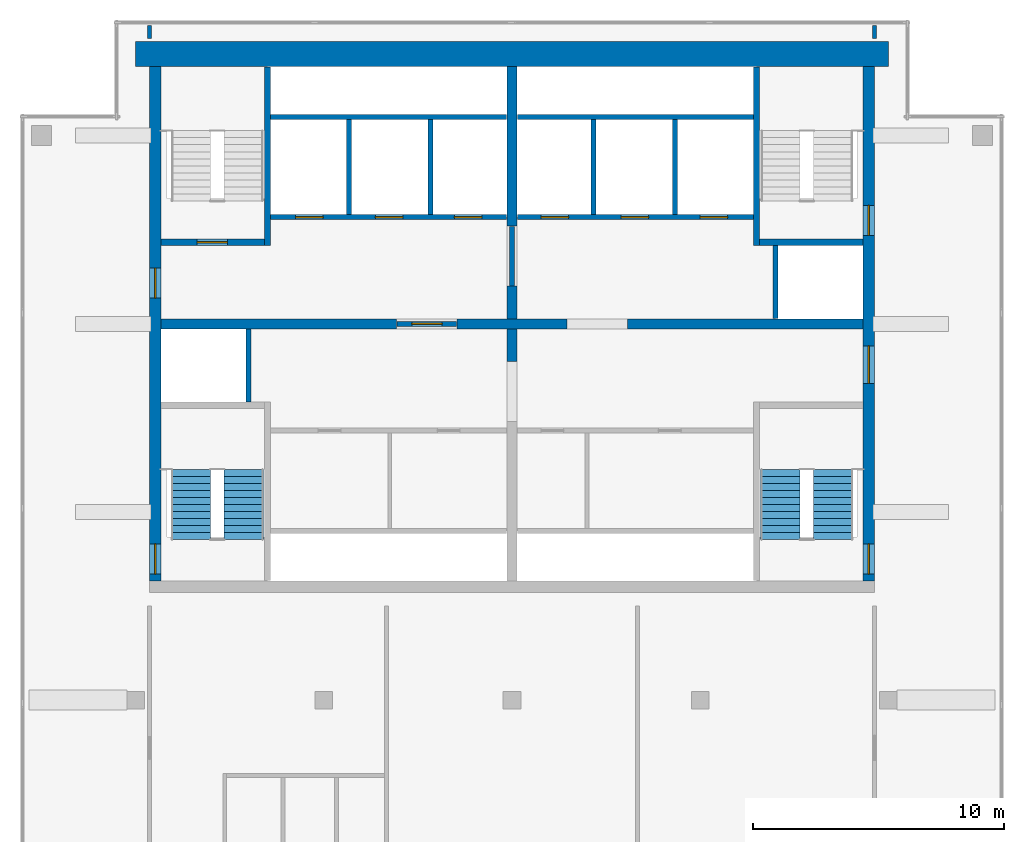
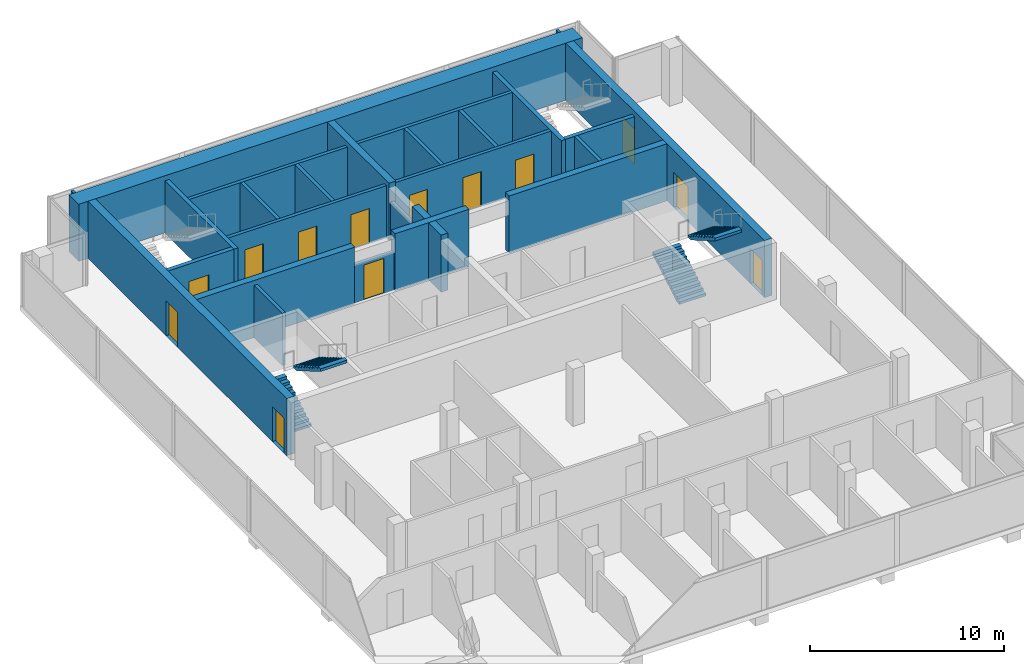
# One storey, part 6 of 8: 27 walls, 13 doors, 4 stair flights, 13 openings, 2 elements without a shape of their own.
"""IFC4 building model written with IfcOpenShell, lengths in metres."""

from ifc_helpers import new_model, si_unit, direction, frame, frame_2d, origin, place, context, subcontext, project, spatial, polyline, rectangle, outline, extrude, material, layer, layer_set, type_object, element, fill, aggregate, save


model = new_model("IFC4")

# Units and contexts
model_context = context("Model", 3, precision=1e-05, world=origin(), true_north=direction((0.0, 1.0)))
body_context = subcontext(model_context, "Body", "Model", "MODEL_VIEW")
ifc_project = project(units=[si_unit("LENGTHUNIT", "METRE"), si_unit("AREAUNIT", "SQUARE_METRE"), si_unit("VOLUMEUNIT", "CUBIC_METRE"), si_unit("PLANEANGLEUNIT", "RADIAN"), si_unit("MASSUNIT", "GRAM", prefix="KILO")], contexts=[model_context])

# Site, building, storey
site_placement = place(None, origin())
site = spatial("IfcSite", under=ifc_project, at=site_placement, CompositionType="ELEMENT")
building_placement = place(site_placement, origin())
building = spatial("IfcBuilding", under=site, at=building_placement, Name="Pilkhan Gate Tower", CompositionType="ELEMENT")
storey_placement = place(building_placement, frame((0.0, 0.0, 269.300048828125)))
storey = spatial("IfcBuildingStorey", under=building, at=storey_placement, Name="L70", CompositionType="ELEMENT", Elevation=269.300048828125)

# Wall
ifc_material_1 = material(Name="Concrete C50/60", Category="concrete")
ifc_layer_1 = layer(ifc_material_1, 1.0)
ifc_layer_set_1 = layer_set([ifc_layer_1], Name="Core wall CW1000 C50/60")
wall_type_1 = type_object("IfcWallType", Name="Core wall CW1000 C50/60", PredefinedType="SHEAR", material=ifc_layer_set_1)
wall_1_placement = place(storey_placement, frame((90.0, 93.25, 0.0), z_axis=(0.0, 0.0, 1.0), x_axis=(-1.0, 0.0, 0.0)))
element("IfcWall", 1, at=wall_1_placement, inside=storey, type_object=wall_type_1, Name="Core wall N L70", PredefinedType="SHEAR", context=body_context, shape_type="SweptSolid", body=[
    extrude(rectangle(XDim=30.0, YDim=1.0, at=frame_2d((15.0, 0.0))), origin(), (0.0, 0.0, 1.0), 3.599853515625),
])

# Wall, openings, doors
ifc_layer_2 = layer(ifc_material_1, 0.449951171875)
ifc_layer_set_2 = layer_set([ifc_layer_2], Name="Core wall CW450 C50/60")
wall_type_2 = type_object("IfcWallType", Name="Core wall CW450 C50/60", PredefinedType="SHEAR", material=ifc_layer_set_2)
wall_2_placement = place(storey_placement, frame((89.22509765625, 72.25, 0.0), z_axis=(0.0, 0.0, 1.0), x_axis=(0.0, 1.0, 0.0)))
wall_2 = element("IfcWall", 2, at=wall_2_placement, inside=storey, type_object=wall_type_2, Name="Core wall E L70", PredefinedType="SHEAR", context=body_context, shape_type="SweptSolid", body=[
    extrude(rectangle(XDim=20.5, YDim=0.449951171875, at=frame_2d((10.25, 0.0))), origin(), (0.0, 0.0, 1.0), 3.599853515625),
])
opening_1_placement = place(wall_2_placement, frame((0.27490234375, 0.0, 0.0)))
opening_1 = element("IfcOpeningElement", 3, at=opening_1_placement, cuts=wall_2, Name="Opening L70-03", PredefinedType="OPENING", context=body_context, shape_type="SweptSolid", body=[
    extrude(rectangle(XDim=1.199951171875, YDim=2.199951171875, at=frame_2d((0.60009765625, 1.10009765625))), frame((0.0, 0.23486328125, 0.0), z_axis=(0.0, -1.0, 0.0), x_axis=(1.0, 0.0, 0.0)), (0.0, 0.0, 1.0), 0.469970703125),
])
opening_2_placement = place(wall_2_placement, frame((13.77490234375, 0.0, 0.0)))
opening_2 = element("IfcOpeningElement", 4, at=opening_2_placement, cuts=wall_2, Name="Opening L70-05", PredefinedType="OPENING", context=body_context, shape_type="SweptSolid", body=[
    extrude(rectangle(XDim=1.199951171875, YDim=2.199951171875, at=frame_2d((0.60009765625, 1.10009765625))), frame((0.0, 0.23486328125, 0.0), z_axis=(0.0, -1.0, 0.0), x_axis=(1.0, 0.0, 0.0)), (0.0, 0.0, 1.0), 0.469970703125),
])
opening_3_placement = place(wall_2_placement, frame((7.875, 0.0, 0.0)))
opening_3 = element("IfcOpeningElement", 5, at=opening_3_placement, cuts=wall_2, Name="Opening L70-06", PredefinedType="OPENING", context=body_context, shape_type="SweptSolid", body=[
    extrude(rectangle(XDim=1.5, YDim=2.199951171875, at=frame_2d((0.75, 1.10009765625))), frame((0.0, 0.23486328125, 0.0), z_axis=(0.0, -1.0, 0.0), x_axis=(1.0, 0.0, 0.0)), (0.0, 0.0, 1.0), 0.469970703125),
])
ifc_material_2 = material(Name="Steel framed glazed door, 60 minute fire resisting", Category="steel")
door_type_1 = type_object("IfcDoorType", Name="Lobby door D09 1500x2200", OperationType="DOUBLE_DOOR_SINGLE_SWING", PredefinedType="DOOR", material=ifc_material_2)
door_1_placement = place(opening_3_placement, origin())
door_1 = element("IfcDoor", 6, at=door_1_placement, inside=storey, type_object=door_type_1, Name="Core door", OperationType="DOUBLE_DOOR_SINGLE_SWING", OverallHeight=2.199951171875, OverallWidth=1.5, PredefinedType="DOOR", context=body_context, shape_type="SweptSolid", body=[
    extrude(rectangle(XDim=1.5, YDim=2.199951171875, at=frame_2d((0.75, 1.10009765625))), frame((0.0, 0.02490234375, 0.0), z_axis=(0.0, -1.0, 0.0), x_axis=(1.0, 0.0, 0.0)), (0.0, 0.0, 1.0), 0.050048828125),
])
fill(opening_3, door_1)
ifc_material_3 = material(Name="Steel door, 120 minute fire resisting, panic bar", Category="steel")
door_type_2 = type_object("IfcDoorType", Name="Stair door D11 1200x2200", OperationType="SINGLE_SWING_LEFT", PredefinedType="DOOR", material=ifc_material_3)
door_2_placement = place(opening_1_placement, origin())
door_2 = element("IfcDoor", 7, at=door_2_placement, inside=storey, type_object=door_type_2, Name="Stair ST1 door", OperationType="SINGLE_SWING_LEFT", OverallHeight=2.199951171875, OverallWidth=1.199951171875, PredefinedType="DOOR", context=body_context, shape_type="SweptSolid", body=[
    extrude(rectangle(XDim=1.199951171875, YDim=2.199951171875, at=frame_2d((0.60009765625, 1.10009765625))), frame((0.0, 0.02490234375, 0.0), z_axis=(0.0, -1.0, 0.0), x_axis=(1.0, 0.0, 0.0)), (0.0, 0.0, 1.0), 0.050048828125),
])
fill(opening_1, door_2)
door_3_placement = place(opening_2_placement, origin())
door_3 = element("IfcDoor", 8, at=door_3_placement, inside=storey, type_object=door_type_2, Name="Stair ST4 door", OperationType="SINGLE_SWING_LEFT", OverallHeight=2.199951171875, OverallWidth=1.199951171875, PredefinedType="DOOR", context=body_context, shape_type="SweptSolid", body=[
    extrude(rectangle(XDim=1.199951171875, YDim=2.199951171875, at=frame_2d((0.60009765625, 1.10009765625))), frame((0.0, 0.02490234375, 0.0), z_axis=(0.0, -1.0, 0.0), x_axis=(1.0, 0.0, 0.0)), (0.0, 0.0, 1.0), 0.050048828125),
])
fill(opening_2, door_3)

wall_3_placement = place(storey_placement, frame((60.77490234375, 92.75, 0.0), z_axis=(0.0, 0.0, 1.0), x_axis=(0.0, -1.0, 0.0)))
wall_3 = element("IfcWall", 9, at=wall_3_placement, inside=storey, type_object=wall_type_2, Name="Core wall W L70", PredefinedType="SHEAR", context=body_context, shape_type="SweptSolid", body=[
    extrude(rectangle(XDim=20.5, YDim=0.449951171875, at=frame_2d((10.25, 0.0))), origin(), (0.0, 0.0, 1.0), 3.599853515625),
])
opening_4_placement = place(wall_3_placement, frame((19.02490234375, 0.0, 0.0)))
opening_4 = element("IfcOpeningElement", 10, at=opening_4_placement, cuts=wall_3, Name="Opening L70-04", PredefinedType="OPENING", context=body_context, shape_type="SweptSolid", body=[
    extrude(rectangle(XDim=1.199951171875, YDim=2.199951171875, at=frame_2d((0.60009765625, 1.10009765625))), frame((0.0, 0.23486328125, 0.0), z_axis=(0.0, -1.0, 0.0), x_axis=(1.0, 0.0, 0.0)), (0.0, 0.0, 1.0), 0.469970703125),
])
opening_5_placement = place(wall_3_placement, frame((8.02490234375, 0.0, 0.0)))
opening_5 = element("IfcOpeningElement", 11, at=opening_5_placement, cuts=wall_3, Name="Opening L70-07", PredefinedType="OPENING", context=body_context, shape_type="SweptSolid", body=[
    extrude(rectangle(XDim=1.199951171875, YDim=2.199951171875, at=frame_2d((0.60009765625, 1.10009765625))), frame((0.0, 0.23486328125, 0.0), z_axis=(0.0, -1.0, 0.0), x_axis=(1.0, 0.0, 0.0)), (0.0, 0.0, 1.0), 0.469970703125),
])
ifc_material_4 = material(Name="Steel door, 120 minute fire resisting, self-closing", Category="steel")
door_type_3 = type_object("IfcDoorType", Name="Firefighting lobby door D10 1200x2200", OperationType="SINGLE_SWING_LEFT", PredefinedType="DOOR", material=ifc_material_4)
door_4_placement = place(opening_5_placement, origin())
door_4 = element("IfcDoor", 12, at=door_4_placement, inside=storey, type_object=door_type_3, Name="Core door", OperationType="SINGLE_SWING_LEFT", OverallHeight=2.199951171875, OverallWidth=1.199951171875, PredefinedType="DOOR", context=body_context, shape_type="SweptSolid", body=[
    extrude(rectangle(XDim=1.199951171875, YDim=2.199951171875, at=frame_2d((0.60009765625, 1.10009765625))), frame((0.0, 0.02490234375, 0.0), z_axis=(0.0, -1.0, 0.0), x_axis=(1.0, 0.0, 0.0)), (0.0, 0.0, 1.0), 0.050048828125),
])
fill(opening_5, door_4)
door_5_placement = place(opening_4_placement, origin())
door_5 = element("IfcDoor", 13, at=door_5_placement, inside=storey, type_object=door_type_2, Name="Stair ST2 door", OperationType="SINGLE_SWING_LEFT", OverallHeight=2.199951171875, OverallWidth=1.199951171875, PredefinedType="DOOR", context=body_context, shape_type="SweptSolid", body=[
    extrude(rectangle(XDim=1.199951171875, YDim=2.199951171875, at=frame_2d((0.60009765625, 1.10009765625))), frame((0.0, 0.02490234375, 0.0), z_axis=(0.0, -1.0, 0.0), x_axis=(1.0, 0.0, 0.0)), (0.0, 0.0, 1.0), 0.050048828125),
])
fill(opening_4, door_5)

# Wall, opening, door
ifc_material_5 = material(Name="Dense blockwork", Category="masonry")
ifc_layer_3 = layer(ifc_material_5, 0.199951171875)
ifc_layer_set_3 = layer_set([ifc_layer_3], Name="Lobby wall LW200")
wall_type_3 = type_object("IfcWallType", Name="Lobby wall LW200", PredefinedType="PARTITIONING", material=ifc_layer_set_3)
wall_4_placement = place(storey_placement, frame((70.409912109375, 82.5, 0.0), z_axis=(0.0, 0.0, 1.0), x_axis=(1.0, 0.0, 0.0)))
wall_4 = element("IfcWall", 14, at=wall_4_placement, inside=storey, type_object=wall_type_3, Name="Partition L70", PredefinedType="PARTITIONING", context=body_context, shape_type="SweptSolid", body=[
    extrude(rectangle(XDim=2.380126953125, YDim=0.199951171875, at=frame_2d((1.18994140625, 0.0))), origin(), (0.0, 0.0, 1.0), 2.39990234375),
])
opening_6_placement = place(wall_4_placement, frame((0.60009765625, 0.0, 0.0)))
opening_6 = element("IfcOpeningElement", 15, at=opening_6_placement, cuts=wall_4, Name="Opening L70-01", PredefinedType="OPENING", context=body_context, shape_type="SweptSolid", body=[
    extrude(rectangle(XDim=1.199951171875, YDim=2.199951171875, at=frame_2d((0.60009765625, 1.10009765625))), frame((0.0, 0.10986328125, 0.0), z_axis=(0.0, -1.0, 0.0), x_axis=(1.0, 0.0, 0.0)), (0.0, 0.0, 1.0), 0.219970703125),
])
door_6_placement = place(opening_6_placement, origin())
door_6 = element("IfcDoor", 16, at=door_6_placement, inside=storey, type_object=door_type_3, Name="Firefighting lobby door", OperationType="SINGLE_SWING_RIGHT", OverallHeight=2.199951171875, OverallWidth=1.199951171875, PredefinedType="DOOR", context=body_context, shape_type="SweptSolid", body=[
    extrude(rectangle(XDim=1.199951171875, YDim=2.199951171875, at=frame_2d((0.60009765625, 1.10009765625))), frame((0.0, 0.02490234375, 0.0), z_axis=(0.0, -1.0, 0.0), x_axis=(1.0, 0.0, 0.0)), (0.0, 0.0, 1.0), 0.050048828125),
])
fill(opening_6, door_6)

# Walls
wall_5_placement = place(storey_placement, frame((75.0, 84.010009765625, 0.0), z_axis=(0.0, 0.0, 1.0), x_axis=(0.0, 1.0, 0.0)))
element("IfcWall", 17, at=wall_5_placement, inside=storey, type_object=wall_type_3, Name="Partition L70", PredefinedType="PARTITIONING", context=body_context, shape_type="SweptSolid", body=[
    extrude(rectangle(XDim=2.3798828125, YDim=0.199951171875, at=frame_2d((1.18994140625, 0.0))), origin(), (0.0, 0.0, 1.0), 2.39990234375),
])
ifc_material_6 = material(Name="Blockwork partition, plastered both sides", Category="masonry")
ifc_layer_4 = layer(ifc_material_6, 0.14990234375)
ifc_layer_set_4 = layer_set([ifc_layer_4], Name="Partition PW150")
wall_type_4 = type_object("IfcWallType", Name="Partition PW150", PredefinedType="PARTITIONING", material=ifc_layer_set_4)
for number, where, z_axis, x_axis, name in (
    (18, (60.550048828125, 93.8701171875, 0.0), (0.0, 0.0, 1.0), (0.0, 1.0, 0.0), "Partition L70"),
    (19, (89.449951171875, 93.8701171875, 0.0), (0.0, 0.0, 1.0), (0.0, 1.0, 0.0), "Partition L70"),
):
    element("IfcWall", number, at=place(storey_placement, frame(where, z_axis=z_axis, x_axis=x_axis)), inside=storey, type_object=wall_type_4, Name=name, PredefinedType="PARTITIONING", context=body_context, shape_type="SweptSolid", body=[
        extrude(rectangle(XDim=0.52490234375, YDim=0.14990234375, at=frame_2d((0.262451171875, 0.0))), origin(), (0.0, 0.0, 1.0), 3.300048828125),
    ])

# Wall, openings, doors
ifc_material_7 = material(Name="Reinforced blockwork shaft wall, 120 minute fire resisting", Category="masonry")
ifc_layer_5 = layer(ifc_material_7, 0.199951171875)
ifc_layer_set_5 = layer_set([ifc_layer_5], Name="Shaft wall SW200")
wall_type_5 = type_object("IfcWallType", Name="Shaft wall SW200", PredefinedType="PARTITIONING", material=ifc_layer_set_5)
wall_6_placement = place(storey_placement, frame((65.375, 86.75, 0.0), z_axis=(0.0, 0.0, 1.0), x_axis=(1.0, 0.0, 0.0)))
wall_6 = element("IfcWall", 20, at=wall_6_placement, inside=storey, type_object=wall_type_5, Name="Partition L70", PredefinedType="PARTITIONING", context=body_context, shape_type="SweptSolid", body=[
    extrude(rectangle(XDim=9.4150390625, YDim=0.199951171875, at=frame_2d((4.70751953125, 0.0))), origin(), (0.0, 0.0, 1.0), 3.300048828125),
])
opening_7_placement = place(wall_6_placement, frame((1.0, 0.0, 0.0)))
opening_7 = element("IfcOpeningElement", 21, at=opening_7_placement, cuts=wall_6, Name="Opening LD", PredefinedType="OPENING", context=body_context, shape_type="SweptSolid", body=[
    extrude(rectangle(XDim=1.10009765625, YDim=2.199951171875, at=frame_2d((0.550048828125, 1.10009765625))), frame((0.0, 0.10986328125, 0.0), z_axis=(0.0, -1.0, 0.0), x_axis=(1.0, 0.0, 0.0)), (0.0, 0.0, 1.0), 0.219970703125),
])
opening_8_placement = place(wall_6_placement, frame((4.175048828125, 0.0, 0.0)))
opening_8 = element("IfcOpeningElement", 22, at=opening_8_placement, cuts=wall_6, Name="Opening LD", PredefinedType="OPENING", context=body_context, shape_type="SweptSolid", body=[
    extrude(rectangle(XDim=1.10009765625, YDim=2.199951171875, at=frame_2d((0.550048828125, 1.10009765625))), frame((0.0, 0.10986328125, 0.0), z_axis=(0.0, -1.0, 0.0), x_axis=(1.0, 0.0, 0.0)), (0.0, 0.0, 1.0), 0.219970703125),
])
opening_9_placement = place(wall_6_placement, frame((7.324951171875, 0.0, 0.0)))
opening_9 = element("IfcOpeningElement", 23, at=opening_9_placement, cuts=wall_6, Name="Opening LD", PredefinedType="OPENING", context=body_context, shape_type="SweptSolid", body=[
    extrude(rectangle(XDim=1.10009765625, YDim=2.199951171875, at=frame_2d((0.550048828125, 1.10009765625))), frame((0.0, 0.10986328125, 0.0), z_axis=(0.0, -1.0, 0.0), x_axis=(1.0, 0.0, 0.0)), (0.0, 0.0, 1.0), 0.219970703125),
])
ifc_material_8 = material(Name="Stainless steel centre-opening landing door, 120 minute fire resisting", Category="steel")
door_type_4 = type_object("IfcDoorType", Name="Lift landing door LD 1100x2200", OperationType="DOUBLE_DOOR_SLIDING", PredefinedType="DOOR", material=ifc_material_8)
door_7_placement = place(opening_7_placement, origin())
door_7 = element("IfcDoor", 24, at=door_7_placement, inside=storey, type_object=door_type_4, Name="Landing door FF1", OperationType="DOUBLE_DOOR_SLIDING", OverallHeight=2.199951171875, OverallWidth=1.10009765625, PredefinedType="DOOR", context=body_context, shape_type="SweptSolid", body=[
    extrude(rectangle(XDim=1.10009765625, YDim=2.199951171875, at=frame_2d((0.550048828125, 1.10009765625))), frame((0.0, 0.02490234375, 0.0), z_axis=(0.0, -1.0, 0.0), x_axis=(1.0, 0.0, 0.0)), (0.0, 0.0, 1.0), 0.050048828125),
])
fill(opening_7, door_7)
door_8_placement = place(opening_8_placement, origin())
door_8 = element("IfcDoor", 25, at=door_8_placement, inside=storey, type_object=door_type_4, Name="Landing door FF2", OperationType="DOUBLE_DOOR_SLIDING", OverallHeight=2.199951171875, OverallWidth=1.10009765625, PredefinedType="DOOR", context=body_context, shape_type="SweptSolid", body=[
    extrude(rectangle(XDim=1.10009765625, YDim=2.199951171875, at=frame_2d((0.550048828125, 1.10009765625))), frame((0.0, 0.02490234375, 0.0), z_axis=(0.0, -1.0, 0.0), x_axis=(1.0, 0.0, 0.0)), (0.0, 0.0, 1.0), 0.050048828125),
])
fill(opening_8, door_8)
door_9_placement = place(opening_9_placement, origin())
door_9 = element("IfcDoor", 26, at=door_9_placement, inside=storey, type_object=door_type_4, Name="Landing door SV1", OperationType="DOUBLE_DOOR_SLIDING", OverallHeight=2.199951171875, OverallWidth=1.10009765625, PredefinedType="DOOR", context=body_context, shape_type="SweptSolid", body=[
    extrude(rectangle(XDim=1.10009765625, YDim=2.199951171875, at=frame_2d((0.550048828125, 1.10009765625))), frame((0.0, 0.02490234375, 0.0), z_axis=(0.0, -1.0, 0.0), x_axis=(1.0, 0.0, 0.0)), (0.0, 0.0, 1.0), 0.050048828125),
])
fill(opening_9, door_9)

wall_7_placement = place(storey_placement, frame((75.2099609375, 86.75, 0.0), z_axis=(0.0, 0.0, 1.0), x_axis=(1.0, 0.0, 0.0)))
wall_7 = element("IfcWall", 27, at=wall_7_placement, inside=storey, type_object=wall_type_5, Name="Partition L70", PredefinedType="PARTITIONING", context=body_context, shape_type="SweptSolid", body=[
    extrude(rectangle(XDim=9.4150390625, YDim=0.199951171875, at=frame_2d((4.70751953125, 0.0))), origin(), (0.0, 0.0, 1.0), 3.300048828125),
])
opening_10_placement = place(wall_7_placement, frame((0.949951171875, 0.0, 0.0)))
opening_10 = element("IfcOpeningElement", 28, at=opening_10_placement, cuts=wall_7, Name="Opening LD", PredefinedType="OPENING", context=body_context, shape_type="SweptSolid", body=[
    extrude(rectangle(XDim=1.10009765625, YDim=2.199951171875, at=frame_2d((0.550048828125, 1.10009765625))), frame((0.0, 0.10986328125, 0.0), z_axis=(0.0, -1.0, 0.0), x_axis=(1.0, 0.0, 0.0)), (0.0, 0.0, 1.0), 0.219970703125),
])
opening_11_placement = place(wall_7_placement, frame((4.139892578125, 0.0, 0.0)))
opening_11 = element("IfcOpeningElement", 29, at=opening_11_placement, cuts=wall_7, Name="Opening LD", PredefinedType="OPENING", context=body_context, shape_type="SweptSolid", body=[
    extrude(rectangle(XDim=1.10009765625, YDim=2.199951171875, at=frame_2d((0.550048828125, 1.10009765625))), frame((0.0, 0.10986328125, 0.0), z_axis=(0.0, -1.0, 0.0), x_axis=(1.0, 0.0, 0.0)), (0.0, 0.0, 1.0), 0.219970703125),
])
opening_12_placement = place(wall_7_placement, frame((7.2900390625, 0.0, 0.0)))
opening_12 = element("IfcOpeningElement", 30, at=opening_12_placement, cuts=wall_7, Name="Opening LD", PredefinedType="OPENING", context=body_context, shape_type="SweptSolid", body=[
    extrude(rectangle(XDim=1.10009765625, YDim=2.199951171875, at=frame_2d((0.550048828125, 1.10009765625))), frame((0.0, 0.10986328125, 0.0), z_axis=(0.0, -1.0, 0.0), x_axis=(1.0, 0.0, 0.0)), (0.0, 0.0, 1.0), 0.219970703125),
])
door_10_placement = place(opening_10_placement, origin())
door_10 = element("IfcDoor", 31, at=door_10_placement, inside=storey, type_object=door_type_4, Name="Landing door HR1", OperationType="DOUBLE_DOOR_SLIDING", OverallHeight=2.199951171875, OverallWidth=1.10009765625, PredefinedType="DOOR", context=body_context, shape_type="SweptSolid", body=[
    extrude(rectangle(XDim=1.10009765625, YDim=2.199951171875, at=frame_2d((0.550048828125, 1.10009765625))), frame((0.0, 0.02490234375, 0.0), z_axis=(0.0, -1.0, 0.0), x_axis=(1.0, 0.0, 0.0)), (0.0, 0.0, 1.0), 0.050048828125),
])
fill(opening_10, door_10)
door_11_placement = place(opening_11_placement, origin())
door_11 = element("IfcDoor", 32, at=door_11_placement, inside=storey, type_object=door_type_4, Name="Landing door HR2", OperationType="DOUBLE_DOOR_SLIDING", OverallHeight=2.199951171875, OverallWidth=1.10009765625, PredefinedType="DOOR", context=body_context, shape_type="SweptSolid", body=[
    extrude(rectangle(XDim=1.10009765625, YDim=2.199951171875, at=frame_2d((0.550048828125, 1.10009765625))), frame((0.0, 0.02490234375, 0.0), z_axis=(0.0, -1.0, 0.0), x_axis=(1.0, 0.0, 0.0)), (0.0, 0.0, 1.0), 0.050048828125),
])
fill(opening_11, door_11)
door_12_placement = place(opening_12_placement, origin())
door_12 = element("IfcDoor", 33, at=door_12_placement, inside=storey, type_object=door_type_4, Name="Landing door HR3", OperationType="DOUBLE_DOOR_SLIDING", OverallHeight=2.199951171875, OverallWidth=1.10009765625, PredefinedType="DOOR", context=body_context, shape_type="SweptSolid", body=[
    extrude(rectangle(XDim=1.10009765625, YDim=2.199951171875, at=frame_2d((0.550048828125, 1.10009765625))), frame((0.0, 0.02490234375, 0.0), z_axis=(0.0, -1.0, 0.0), x_axis=(1.0, 0.0, 0.0)), (0.0, 0.0, 1.0), 0.050048828125),
])
fill(opening_12, door_12)

# Walls
for number, where, z_axis, x_axis, name in (
    (34, (65.375, 90.75, 0.0), (0.0, 0.0, 1.0), (1.0, 0.0, 0.0), "Partition L70"),
    (35, (75.2099609375, 90.75, 0.0), (0.0, 0.0, 1.0), (1.0, 0.0, 0.0), "Partition L70"),
):
    element("IfcWall", number, at=place(storey_placement, frame(where, z_axis=z_axis, x_axis=x_axis)), inside=storey, type_object=wall_type_5, Name=name, PredefinedType="PARTITIONING", context=body_context, shape_type="SweptSolid", body=[
        extrude(rectangle(XDim=9.4150390625, YDim=0.199951171875, at=frame_2d((4.70751953125, 0.0))), origin(), (0.0, 0.0, 1.0), 3.300048828125),
    ])
wall_8_placement = place(storey_placement, frame((64.5, 79.375, 0.0), z_axis=(0.0, 0.0, 1.0), x_axis=(0.0, 1.0, 0.0)))
element("IfcWall", 36, at=wall_8_placement, inside=storey, type_object=wall_type_5, Name="Partition L70", PredefinedType="PARTITIONING", context=body_context, shape_type="SweptSolid", body=[
    extrude(rectangle(XDim=2.9150390625, YDim=0.199951171875, at=frame_2d((1.45751953125, 0.0))), origin(), (0.0, 0.0, 1.0), 3.300048828125),
])
for number, where, z_axis, x_axis, name in (
    (37, (68.5, 86.85009765625, 0.0), (0.0, 0.0, 1.0), (0.0, 1.0, 0.0), "Partition L70"),
    (38, (71.75, 86.85009765625, 0.0), (0.0, 0.0, 1.0), (0.0, 1.0, 0.0), "Partition L70"),
    (39, (78.25, 86.85009765625, 0.0), (0.0, 0.0, 1.0), (0.0, 1.0, 0.0), "Partition L70"),
    (40, (81.5, 86.85009765625, 0.0), (0.0, 0.0, 1.0), (0.0, 1.0, 0.0), "Partition L70"),
):
    element("IfcWall", number, at=place(storey_placement, frame(where, z_axis=z_axis, x_axis=x_axis)), inside=storey, type_object=wall_type_5, Name=name, PredefinedType="PARTITIONING", context=body_context, shape_type="SweptSolid", body=[
        extrude(rectangle(XDim=3.7998046875, YDim=0.199951171875, at=frame_2d((1.89990234375, 0.0))), origin(), (0.0, 0.0, 1.0), 3.300048828125),
    ])
wall_9_placement = place(storey_placement, frame((85.5, 82.7099609375, 0.0), z_axis=(0.0, 0.0, 1.0), x_axis=(0.0, 1.0, 0.0)))
element("IfcWall", 41, at=wall_9_placement, inside=storey, type_object=wall_type_5, Name="Partition L70", PredefinedType="PARTITIONING", context=body_context, shape_type="SweptSolid", body=[
    extrude(rectangle(XDim=2.9150390625, YDim=0.199951171875, at=frame_2d((1.45751953125, 0.0))), origin(), (0.0, 0.0, 1.0), 3.300048828125),
])
ifc_layer_6 = layer(ifc_material_1, 0.39990234375)
ifc_layer_set_6 = layer_set([ifc_layer_6], Name="Spine wall SW400 C50/60")
wall_type_6 = type_object("IfcWallType", Name="Spine wall SW400 C50/60", PredefinedType="SHEAR", material=ifc_layer_set_6)
wall_10_placement = place(storey_placement, frame((61.0, 82.5, 0.0), z_axis=(0.0, 0.0, 1.0), x_axis=(1.0, 0.0, 0.0)))
element("IfcWall", 42, at=wall_10_placement, inside=storey, type_object=wall_type_6, Name="Spine wall SP-EW1 L70", PredefinedType="SHEAR", context=body_context, shape_type="SweptSolid", body=[
    extrude(rectangle(XDim=9.39990234375, YDim=0.39990234375, at=frame_2d((4.699951171875, 0.0))), origin(), (0.0, 0.0, 1.0), 3.599853515625),
])
wall_11_placement = place(storey_placement, frame((72.800048828125, 82.5, 0.0), z_axis=(0.0, 0.0, 1.0), x_axis=(1.0, 0.0, 0.0)))
element("IfcWall", 43, at=wall_11_placement, inside=storey, type_object=wall_type_6, Name="Spine wall SP-EW2 L70", PredefinedType="SHEAR", context=body_context, shape_type="SweptSolid", body=[
    extrude(rectangle(XDim=4.39990234375, YDim=0.39990234375, at=frame_2d((2.199951171875, 0.0))), origin(), (0.0, 0.0, 1.0), 3.599853515625),
])
wall_12_placement = place(storey_placement, frame((79.60009765625, 82.5, 0.0), z_axis=(0.0, 0.0, 1.0), x_axis=(1.0, 0.0, 0.0)))
element("IfcWall", 44, at=wall_12_placement, inside=storey, type_object=wall_type_6, Name="Spine wall SP-EW3 L70", PredefinedType="SHEAR", context=body_context, shape_type="SweptSolid", body=[
    extrude(rectangle(XDim=9.39990234375, YDim=0.39990234375, at=frame_2d((4.699951171875, 0.0))), origin(), (0.0, 0.0, 1.0), 3.599853515625),
])
for number, where, z_axis, x_axis, name in (
    (45, (75.0, 81.0, 0.0), (0.0, 0.0, 1.0), (0.0, 1.0, 0.0), "Spine wall SP-NS-S2 L70"),
    (46, (75.0, 82.699951171875, 0.0), (0.0, 0.0, 1.0), (0.0, 1.0, 0.0), "Spine wall SP-NS-N1 L70"),
):
    element("IfcWall", number, at=place(storey_placement, frame(where, z_axis=z_axis, x_axis=x_axis)), inside=storey, type_object=wall_type_6, Name=name, PredefinedType="SHEAR", context=body_context, shape_type="SweptSolid", body=[
        extrude(rectangle(XDim=1.300048828125, YDim=0.39990234375, at=frame_2d((0.64990234375, 0.0))), origin(), (0.0, 0.0, 1.0), 3.599853515625),
    ])
wall_13_placement = place(storey_placement, frame((75.0, 86.39990234375, 0.0), z_axis=(0.0, 0.0, 1.0), x_axis=(0.0, 1.0, 0.0)))
element("IfcWall", 47, at=wall_13_placement, inside=storey, type_object=wall_type_6, Name="Spine wall SP-NS-N2 L70", PredefinedType="SHEAR", context=body_context, shape_type="SweptSolid", body=[
    extrude(rectangle(XDim=6.35009765625, YDim=0.39990234375, at=frame_2d((3.175048828125, 0.0))), origin(), (0.0, 0.0, 1.0), 3.599853515625),
])

# Wall, opening, door
ifc_material_9 = material(Name="Reinforced blockwork, 120 minute fire resisting", Category="masonry")
ifc_layer_7 = layer(ifc_material_9, 0.25)
ifc_layer_set_7 = layer_set([ifc_layer_7], Name="Stair enclosure wall SE250")
wall_type_7 = type_object("IfcWallType", Name="Stair enclosure wall SE250", PredefinedType="PARTITIONING", material=ifc_layer_set_7)
wall_14_placement = place(storey_placement, frame((61.0, 85.75, 0.0), z_axis=(0.0, 0.0, 1.0), x_axis=(1.0, 0.0, 0.0)))
wall_14 = element("IfcWall", 48, at=wall_14_placement, inside=storey, type_object=wall_type_7, Name="Partition L70", PredefinedType="PARTITIONING", context=body_context, shape_type="SweptSolid", body=[
    extrude(rectangle(XDim=4.125, YDim=0.25, at=frame_2d((2.0625, 0.0))), origin(), (0.0, 0.0, 1.0), 3.300048828125),
])
opening_13_placement = place(wall_14_placement, frame((1.449951171875, 0.0, 0.0)))
opening_13 = element("IfcOpeningElement", 49, at=opening_13_placement, cuts=wall_14, Name="Opening L70-02", PredefinedType="OPENING", context=body_context, shape_type="SweptSolid", body=[
    extrude(rectangle(XDim=1.199951171875, YDim=2.199951171875, at=frame_2d((0.60009765625, 1.10009765625))), frame((0.0, 0.135009765625, 0.0), z_axis=(0.0, -1.0, 0.0), x_axis=(1.0, 0.0, 0.0)), (0.0, 0.0, 1.0), 0.27001953125),
])
door_13_placement = place(opening_13_placement, origin())
door_13 = element("IfcDoor", 50, at=door_13_placement, inside=storey, type_object=door_type_2, Name="Stair ST3 lobby door", OperationType="SINGLE_SWING_LEFT", OverallHeight=2.199951171875, OverallWidth=1.199951171875, PredefinedType="DOOR", context=body_context, shape_type="SweptSolid", body=[
    extrude(rectangle(XDim=1.199951171875, YDim=2.199951171875, at=frame_2d((0.60009765625, 1.10009765625))), frame((0.0, 0.02490234375, 0.0), z_axis=(0.0, -1.0, 0.0), x_axis=(1.0, 0.0, 0.0)), (0.0, 0.0, 1.0), 0.050048828125),
])
fill(opening_13, door_13)

# Walls
wall_15_placement = place(storey_placement, frame((84.875, 85.75, 0.0), z_axis=(0.0, 0.0, 1.0), x_axis=(1.0, 0.0, 0.0)))
element("IfcWall", 51, at=wall_15_placement, inside=storey, type_object=wall_type_7, Name="Partition L70", PredefinedType="PARTITIONING", context=body_context, shape_type="SweptSolid", body=[
    extrude(rectangle(XDim=4.114990234375, YDim=0.25, at=frame_2d((2.0576171875, 0.0))), origin(), (0.0, 0.0, 1.0), 3.300048828125),
])
for number, where, z_axis, x_axis, name in (
    (52, (65.25, 85.625, 0.0), (0.0, 0.0, 1.0), (0.0, 1.0, 0.0), "Partition L70"),
    (53, (84.75, 85.625, 0.0), (0.0, 0.0, 1.0), (0.0, 1.0, 0.0), "Partition L70"),
):
    element("IfcWall", number, at=place(storey_placement, frame(where, z_axis=z_axis, x_axis=x_axis)), inside=storey, type_object=wall_type_7, Name=name, PredefinedType="PARTITIONING", context=body_context, shape_type="SweptSolid", body=[
        extrude(rectangle(XDim=7.114990234375, YDim=0.25, at=frame_2d((3.5576171875, 0.0))), origin(), (0.0, 0.0, 1.0), 3.300048828125),
    ])

# Stair, stair flights
ifc_material_10 = material(Name="Concrete C40/50 precast", Category="concrete")
stair_type_1 = type_object("IfcStairType", Name="Stair ST1 164x280", PredefinedType="HALF_TURN_STAIR", material=ifc_material_10)
stair_1_placement = place(storey_placement, origin())
stair_1 = element("IfcStair", 54, at=stair_1_placement, inside=storey, type_object=stair_type_1, Name="Stair ST1 L70", PredefinedType="HALF_TURN_STAIR")
stair_flight_type_1 = type_object("IfcStairFlightType", Name="Stair flight ST1 164x280x11", PredefinedType="STRAIGHT", material=ifc_material_10)
stair_flight_1_placement = place(storey_placement, frame((85.68994140625, 73.89990234375, 0.0), z_axis=(0.0, 0.0, 1.0), x_axis=(0.0, 1.0, 0.0)))
stair_flight_1 = element("IfcStairFlight", 55, at=stair_flight_1_placement, type_object=stair_flight_type_1, Name="ST1 flight 1", NumberOfRisers=11, NumberOfTreads=10, PredefinedType="STRAIGHT", RiserHeight=0.163636364, TreadLength=0.28, context=body_context, shape_type="SweptSolid", body=[
    extrude(outline(polyline([(0.0, 0.0), (0.0, 0.16357421875), (0.280029296875, 0.16357421875), (0.280029296875, 0.327392578125), (0.56005859375, 0.327392578125), (0.56005859375, 0.490966796875), (0.840087890625, 0.490966796875), (0.840087890625, 0.654541015625), (1.1201171875, 0.654541015625), (1.1201171875, 0.818115234375), (1.39990234375, 0.818115234375), (1.39990234375, 0.98193359375), (1.679931640625, 0.98193359375), (1.679931640625, 1.1455078125), (1.9599609375, 1.1455078125), (1.9599609375, 1.30908203125), (2.239990234375, 1.30908203125), (2.239990234375, 1.47265625), (2.52001953125, 1.47265625), (2.52001953125, 1.636474609375), (2.800048828125, 1.636474609375), (2.800048828125, 1.800048828125), (2.800048828125, 1.462646484375), (0.297119140625, 0.0), (0.0, 0.0)])), frame((0.0, 0.7900390625, 0.0), z_axis=(0.0, -1.0, 0.0), x_axis=(1.0, 0.0, 0.0)), (0.0, 0.0, 1.0), 1.580078125),
])
stair_flight_2_placement = place(storey_placement, frame((87.81005859375, 76.699951171875, 1.800048828125), z_axis=(0.0, 0.0, 1.0), x_axis=(0.0, -1.0, 0.0)))
stair_flight_2 = element("IfcStairFlight", 56, at=stair_flight_2_placement, type_object=stair_flight_type_1, Name="ST1 flight 2", NumberOfRisers=11, NumberOfTreads=10, PredefinedType="STRAIGHT", RiserHeight=0.163636364, TreadLength=0.28, context=body_context, shape_type="SweptSolid", body=[
    extrude(outline(polyline([(0.0, 0.0), (0.0, 0.16357421875), (0.280029296875, 0.16357421875), (0.280029296875, 0.327392578125), (0.56005859375, 0.327392578125), (0.56005859375, 0.490966796875), (0.840087890625, 0.490966796875), (0.840087890625, 0.654541015625), (1.1201171875, 0.654541015625), (1.1201171875, 0.818115234375), (1.39990234375, 0.818115234375), (1.39990234375, 0.98193359375), (1.679931640625, 0.98193359375), (1.679931640625, 1.1455078125), (1.9599609375, 1.1455078125), (1.9599609375, 1.30908203125), (2.239990234375, 1.30908203125), (2.239990234375, 1.47265625), (2.52001953125, 1.47265625), (2.52001953125, 1.636474609375), (2.800048828125, 1.636474609375), (2.800048828125, 1.800048828125), (2.800048828125, 1.462646484375), (0.297119140625, 0.0), (0.0, 0.0)])), frame((0.0, 0.7900390625, 0.0), z_axis=(0.0, -1.0, 0.0), x_axis=(1.0, 0.0, 0.0)), (0.0, 0.0, 1.0), 1.580078125),
])
aggregate(stair_1, [stair_flight_1, stair_flight_2])

stair_type_2 = type_object("IfcStairType", Name="Stair ST2 164x280", PredefinedType="HALF_TURN_STAIR", material=ifc_material_10)
stair_2_placement = place(storey_placement, origin())
stair_2 = element("IfcStair", 57, at=stair_2_placement, inside=storey, type_object=stair_type_2, Name="Stair ST2 L70", PredefinedType="HALF_TURN_STAIR")
stair_flight_type_2 = type_object("IfcStairFlightType", Name="Stair flight ST2 164x280x11", PredefinedType="STRAIGHT", material=ifc_material_10)
stair_flight_3_placement = place(storey_placement, frame((62.18994140625, 73.89990234375, 0.0), z_axis=(0.0, 0.0, 1.0), x_axis=(0.0, 1.0, 0.0)))
stair_flight_3 = element("IfcStairFlight", 58, at=stair_flight_3_placement, type_object=stair_flight_type_2, Name="ST2 flight 1", NumberOfRisers=11, NumberOfTreads=10, PredefinedType="STRAIGHT", RiserHeight=0.163636364, TreadLength=0.28, context=body_context, shape_type="SweptSolid", body=[
    extrude(outline(polyline([(0.0, 0.0), (0.0, 0.16357421875), (0.280029296875, 0.16357421875), (0.280029296875, 0.327392578125), (0.56005859375, 0.327392578125), (0.56005859375, 0.490966796875), (0.840087890625, 0.490966796875), (0.840087890625, 0.654541015625), (1.1201171875, 0.654541015625), (1.1201171875, 0.818115234375), (1.39990234375, 0.818115234375), (1.39990234375, 0.98193359375), (1.679931640625, 0.98193359375), (1.679931640625, 1.1455078125), (1.9599609375, 1.1455078125), (1.9599609375, 1.30908203125), (2.239990234375, 1.30908203125), (2.239990234375, 1.47265625), (2.52001953125, 1.47265625), (2.52001953125, 1.636474609375), (2.800048828125, 1.636474609375), (2.800048828125, 1.800048828125), (2.800048828125, 1.462646484375), (0.297119140625, 0.0), (0.0, 0.0)])), frame((0.0, 0.7900390625, 0.0), z_axis=(0.0, -1.0, 0.0), x_axis=(1.0, 0.0, 0.0)), (0.0, 0.0, 1.0), 1.580078125),
])
stair_flight_4_placement = place(storey_placement, frame((64.31005859375, 76.699951171875, 1.800048828125), z_axis=(0.0, 0.0, 1.0), x_axis=(0.0, -1.0, 0.0)))
stair_flight_4 = element("IfcStairFlight", 59, at=stair_flight_4_placement, type_object=stair_flight_type_2, Name="ST2 flight 2", NumberOfRisers=11, NumberOfTreads=10, PredefinedType="STRAIGHT", RiserHeight=0.163636364, TreadLength=0.28, context=body_context, shape_type="SweptSolid", body=[
    extrude(outline(polyline([(0.0, 0.0), (0.0, 0.16357421875), (0.280029296875, 0.16357421875), (0.280029296875, 0.327392578125), (0.56005859375, 0.327392578125), (0.56005859375, 0.490966796875), (0.840087890625, 0.490966796875), (0.840087890625, 0.654541015625), (1.1201171875, 0.654541015625), (1.1201171875, 0.818115234375), (1.39990234375, 0.818115234375), (1.39990234375, 0.98193359375), (1.679931640625, 0.98193359375), (1.679931640625, 1.1455078125), (1.9599609375, 1.1455078125), (1.9599609375, 1.30908203125), (2.239990234375, 1.30908203125), (2.239990234375, 1.47265625), (2.52001953125, 1.47265625), (2.52001953125, 1.636474609375), (2.800048828125, 1.636474609375), (2.800048828125, 1.800048828125), (2.800048828125, 1.462646484375), (0.297119140625, 0.0), (0.0, 0.0)])), frame((0.0, 0.7900390625, 0.0), z_axis=(0.0, -1.0, 0.0), x_axis=(1.0, 0.0, 0.0)), (0.0, 0.0, 1.0), 1.580078125),
])
aggregate(stair_2, [stair_flight_3, stair_flight_4])

save(model, "model.ifc")
